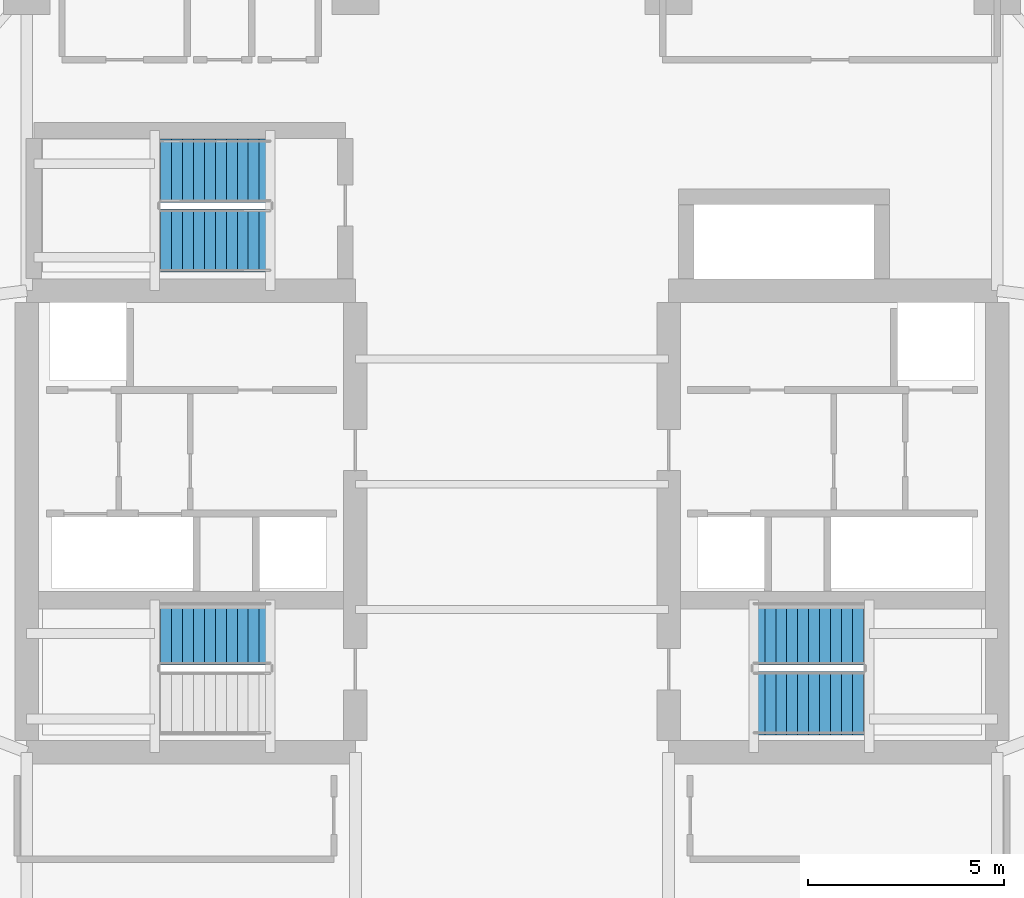
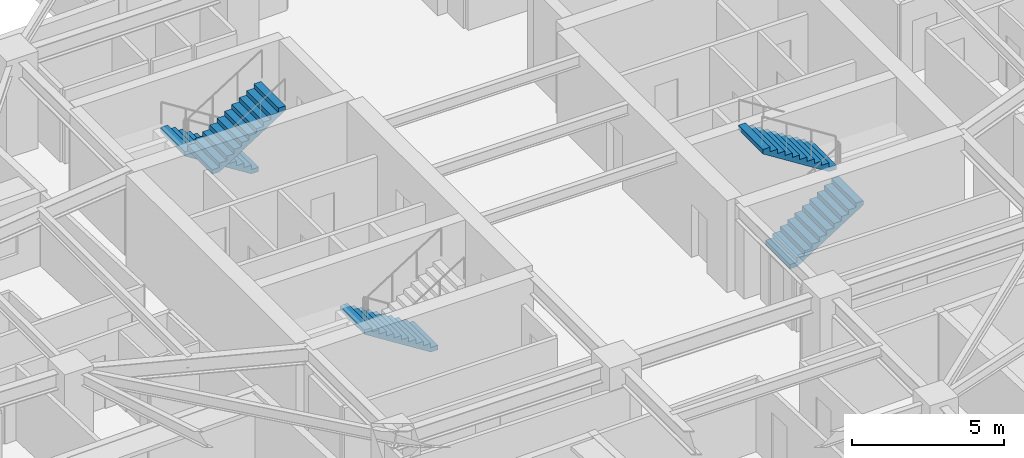
# One storey, part 9 of 14: 5 stair flights, 3 elements without a shape of their own.
"""IFC4 building model written with IfcOpenShell, lengths in metres."""

from ifc_helpers import new_model, si_unit, direction, frame, origin, place, context, subcontext, project, spatial, polyline, outline, extrude, material, layer, layer_set, type_object, element, aggregate, save


model = new_model("IFC4")

# Units and contexts
model_context = context("Model", 3, precision=1e-05, world=origin(), true_north=direction((0.0, 1.0)))
body_context = subcontext(model_context, "Body", "Model", "MODEL_VIEW")
ifc_project = project(units=[si_unit("LENGTHUNIT", "METRE"), si_unit("AREAUNIT", "SQUARE_METRE"), si_unit("VOLUMEUNIT", "CUBIC_METRE"), si_unit("PLANEANGLEUNIT", "RADIAN"), si_unit("MASSUNIT", "GRAM", prefix="KILO")], contexts=[model_context])

# Site, building, storey
site_placement = place(None, origin())
site = spatial("IfcSite", under=ifc_project, at=site_placement, CompositionType="ELEMENT")
building_placement = place(site_placement, origin())
building = spatial("IfcBuilding", under=site, at=building_placement, Name="Qingluan Cross Belvedere", CompositionType="ELEMENT")
storey_placement = place(building_placement, frame((0.0, 0.0, 135.89990234375)))
storey = spatial("IfcBuildingStorey", under=building, at=storey_placement, Name="L34", CompositionType="ELEMENT", Elevation=135.89990234375)

# Stair, stair flight
ifc_material_1 = material(Name="Concrete C40", Category="concrete")
stair_type = type_object("IfcStairType", Name="CoreDoglegStair_1620", PredefinedType="HALF_TURN_STAIR", material=ifc_material_1)
stair_1_placement = place(storey_placement, origin())
stair_1 = element("IfcStair", 1, at=stair_1_placement, inside=storey, type_object=stair_type, Name="L34 ST1", PredefinedType="HALF_TURN_STAIR")
ifc_material_2 = material(Name="Concrete C40", Category="concrete")
ifc_layer = layer(ifc_material_2, 0.179931640625, Name="StairFlight_RC180")
ifc_layer_set = layer_set([ifc_layer], Name="Concrete C40")
stair_flight_type = type_object("IfcStairFlightType", Name="StairFlight_RC180", PredefinedType="STRAIGHT", material=ifc_layer_set)
stair_flight_1_placement = place(storey_placement, frame((-6.179931640625, -3.81005859375, 0.0), z_axis=(0.0, 0.0, 1.0), x_axis=(-1.0, 0.0, 0.0)))
stair_flight_1 = element("IfcStairFlight", 2, at=stair_flight_1_placement, type_object=stair_flight_type, Name="ST1 flight 1", NumberOfRisers=11, NumberOfTreads=10, PredefinedType="STRAIGHT", RiserHeight=0.177272727, TreadLength=0.28, context=body_context, shape_type="SweptSolid", body=[
    extrude(outline(polyline([(0.0, 0.0), (0.0, 0.17724609375), (0.280029296875, 0.17724609375), (0.280029296875, 0.3544921875), (0.56005859375, 0.3544921875), (0.56005859375, 0.53173828125), (0.840087890625, 0.53173828125), (0.840087890625, 0.708984375), (1.1201171875, 0.708984375), (1.1201171875, 0.886474609375), (1.39990234375, 0.886474609375), (1.39990234375, 1.063720703125), (1.679931640625, 1.063720703125), (1.679931640625, 1.240966796875), (1.9599609375, 1.240966796875), (1.9599609375, 1.418212890625), (2.239990234375, 1.418212890625), (2.239990234375, 1.595458984375), (2.52001953125, 1.595458984375), (2.52001953125, 1.772705078125), (2.800048828125, 1.772705078125), (2.800048828125, 1.949951171875), (2.800048828125, 1.59521484375), (0.2802734375, 0.0), (0.0, 0.0)])), frame((0.0, 0.81005859375, 0.0), z_axis=(0.0, -1.0, 0.0), x_axis=(1.0, 0.0, 0.0)), (0.0, 0.0, 1.0), 1.6201171875),
])
aggregate(stair_1, [stair_flight_1])

# Stair, stair flights
stair_2_placement = place(storey_placement, origin())
stair_2 = element("IfcStair", 3, at=stair_2_placement, inside=storey, type_object=stair_type, Name="L34 ST2", PredefinedType="HALF_TURN_STAIR")
stair_flight_2_placement = place(storey_placement, frame((6.179931640625, -5.590087890625, 0.0), z_axis=(0.0, 0.0, 1.0), x_axis=(1.0, 0.0, 0.0)))
stair_flight_2 = element("IfcStairFlight", 4, at=stair_flight_2_placement, type_object=stair_flight_type, Name="ST2 flight 1", NumberOfRisers=11, NumberOfTreads=10, PredefinedType="STRAIGHT", RiserHeight=0.177272727, TreadLength=0.28, context=body_context, shape_type="SweptSolid", body=[
    extrude(outline(polyline([(0.0, 0.0), (0.0, 0.17724609375), (0.280029296875, 0.17724609375), (0.280029296875, 0.3544921875), (0.56005859375, 0.3544921875), (0.56005859375, 0.53173828125), (0.840087890625, 0.53173828125), (0.840087890625, 0.708984375), (1.1201171875, 0.708984375), (1.1201171875, 0.886474609375), (1.39990234375, 0.886474609375), (1.39990234375, 1.063720703125), (1.679931640625, 1.063720703125), (1.679931640625, 1.240966796875), (1.9599609375, 1.240966796875), (1.9599609375, 1.418212890625), (2.239990234375, 1.418212890625), (2.239990234375, 1.595458984375), (2.52001953125, 1.595458984375), (2.52001953125, 1.772705078125), (2.800048828125, 1.772705078125), (2.800048828125, 1.949951171875), (2.800048828125, 1.59521484375), (0.2802734375, 0.0), (0.0, 0.0)])), frame((0.0, 0.81005859375, 0.0), z_axis=(0.0, -1.0, 0.0), x_axis=(1.0, 0.0, 0.0)), (0.0, 0.0, 1.0), 1.6201171875),
])
stair_flight_3_placement = place(storey_placement, frame((8.97998046875, -3.81005859375, 1.9501953125), z_axis=(0.0, 0.0, 1.0), x_axis=(-1.0, 0.0, 0.0)))
stair_flight_3 = element("IfcStairFlight", 5, at=stair_flight_3_placement, type_object=stair_flight_type, Name="ST2 flight 2", NumberOfRisers=11, NumberOfTreads=10, PredefinedType="STRAIGHT", RiserHeight=0.177272727, TreadLength=0.28, context=body_context, shape_type="SweptSolid", body=[
    extrude(outline(polyline([(0.0, 0.0), (0.0, 0.17724609375), (0.280029296875, 0.17724609375), (0.280029296875, 0.3544921875), (0.56005859375, 0.3544921875), (0.56005859375, 0.53173828125), (0.840087890625, 0.53173828125), (0.840087890625, 0.708984375), (1.1201171875, 0.708984375), (1.1201171875, 0.886474609375), (1.39990234375, 0.886474609375), (1.39990234375, 1.063720703125), (1.679931640625, 1.063720703125), (1.679931640625, 1.240966796875), (1.9599609375, 1.240966796875), (1.9599609375, 1.418212890625), (2.239990234375, 1.418212890625), (2.239990234375, 1.595458984375), (2.52001953125, 1.595458984375), (2.52001953125, 1.772705078125), (2.800048828125, 1.772705078125), (2.800048828125, 1.949951171875), (2.800048828125, 1.59521484375), (0.2802734375, 0.0), (0.0, 0.0)])), frame((0.0, 0.81005859375, 0.0), z_axis=(0.0, -1.0, 0.0), x_axis=(1.0, 0.0, 0.0)), (0.0, 0.0, 1.0), 1.6201171875),
])
aggregate(stair_2, [stair_flight_2, stair_flight_3])

stair_3_placement = place(storey_placement, origin())
stair_3 = element("IfcStair", 6, at=stair_3_placement, inside=storey, type_object=stair_type, Name="L34 ST3", PredefinedType="HALF_TURN_STAIR")
stair_flight_4_placement = place(storey_placement, frame((-6.179931640625, 8.010009765625, 0.0), z_axis=(0.0, 0.0, 1.0), x_axis=(-1.0, 0.0, 0.0)))
stair_flight_4 = element("IfcStairFlight", 7, at=stair_flight_4_placement, type_object=stair_flight_type, Name="ST3 flight 1", NumberOfRisers=11, NumberOfTreads=10, PredefinedType="STRAIGHT", RiserHeight=0.177272727, TreadLength=0.28, context=body_context, shape_type="SweptSolid", body=[
    extrude(outline(polyline([(0.0, 0.0), (0.0, 0.17724609375), (0.280029296875, 0.17724609375), (0.280029296875, 0.3544921875), (0.56005859375, 0.3544921875), (0.56005859375, 0.53173828125), (0.840087890625, 0.53173828125), (0.840087890625, 0.708984375), (1.1201171875, 0.708984375), (1.1201171875, 0.886474609375), (1.39990234375, 0.886474609375), (1.39990234375, 1.063720703125), (1.679931640625, 1.063720703125), (1.679931640625, 1.240966796875), (1.9599609375, 1.240966796875), (1.9599609375, 1.418212890625), (2.239990234375, 1.418212890625), (2.239990234375, 1.595458984375), (2.52001953125, 1.595458984375), (2.52001953125, 1.772705078125), (2.800048828125, 1.772705078125), (2.800048828125, 1.949951171875), (2.800048828125, 1.59521484375), (0.2802734375, 0.0), (0.0, 0.0)])), frame((0.0, 0.81005859375, 0.0), z_axis=(0.0, -1.0, 0.0), x_axis=(1.0, 0.0, 0.0)), (0.0, 0.0, 1.0), 1.6201171875),
])
stair_flight_5_placement = place(storey_placement, frame((-8.97998046875, 6.22998046875, 1.9501953125), z_axis=(0.0, 0.0, 1.0), x_axis=(1.0, 0.0, 0.0)))
stair_flight_5 = element("IfcStairFlight", 8, at=stair_flight_5_placement, type_object=stair_flight_type, Name="ST3 flight 2", NumberOfRisers=11, NumberOfTreads=10, PredefinedType="STRAIGHT", RiserHeight=0.177272727, TreadLength=0.28, context=body_context, shape_type="SweptSolid", body=[
    extrude(outline(polyline([(0.0, 0.0), (0.0, 0.17724609375), (0.280029296875, 0.17724609375), (0.280029296875, 0.3544921875), (0.56005859375, 0.3544921875), (0.56005859375, 0.53173828125), (0.840087890625, 0.53173828125), (0.840087890625, 0.708984375), (1.1201171875, 0.708984375), (1.1201171875, 0.886474609375), (1.39990234375, 0.886474609375), (1.39990234375, 1.063720703125), (1.679931640625, 1.063720703125), (1.679931640625, 1.240966796875), (1.9599609375, 1.240966796875), (1.9599609375, 1.418212890625), (2.239990234375, 1.418212890625), (2.239990234375, 1.595458984375), (2.52001953125, 1.595458984375), (2.52001953125, 1.772705078125), (2.800048828125, 1.772705078125), (2.800048828125, 1.949951171875), (2.800048828125, 1.59521484375), (0.2802734375, 0.0), (0.0, 0.0)])), frame((0.0, 0.81005859375, 0.0), z_axis=(0.0, -1.0, 0.0), x_axis=(1.0, 0.0, 0.0)), (0.0, 0.0, 1.0), 1.6201171875),
])
aggregate(stair_3, [stair_flight_4, stair_flight_5])

save(model, "model.ifc")
